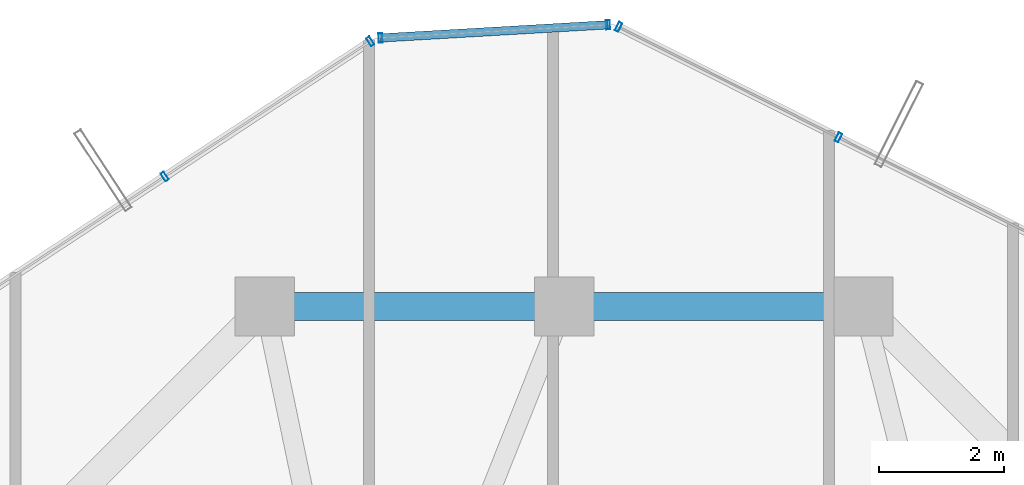
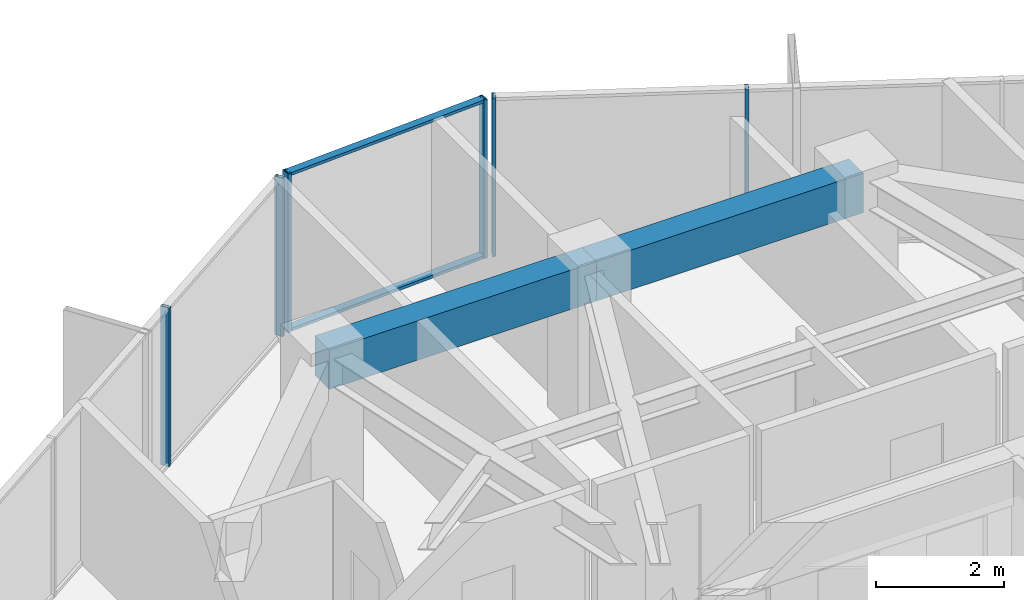
# One storey, part 24 of 33: 8 members, 2 beams, 3 elements without a shape of their own.
"""IFC4 building model written with IfcOpenShell, lengths in metres."""

from ifc_helpers import new_model, si_unit, direction, frame, origin, origin_2d, place, context, subcontext, project, spatial, rectangle, hollow_rectangle, extrude, source, transform, mapped, material, layer, layer_set, material_profile, profile_set, type_object, element, aggregate, save


model = new_model("IFC4")

# Units and contexts
model_context = context("Model", 3, precision=1e-05, world=origin(), true_north=direction((0.0, 1.0)))
body_context = subcontext(model_context, "Body", "Model", "MODEL_VIEW")
ifc_project = project(units=[si_unit("LENGTHUNIT", "METRE"), si_unit("AREAUNIT", "SQUARE_METRE"), si_unit("VOLUMEUNIT", "CUBIC_METRE"), si_unit("PLANEANGLEUNIT", "RADIAN"), si_unit("MASSUNIT", "GRAM", prefix="KILO")], contexts=[model_context])

# Site, building, storey
site_placement = place(None, origin())
site = spatial("IfcSite", under=ifc_project, at=site_placement, CompositionType="ELEMENT")
building_placement = place(site_placement, origin())
building = spatial("IfcBuilding", under=site, at=building_placement, Name="Veraguas Prism Commons", CompositionType="ELEMENT")
storey_placement = place(building_placement, frame((0.0, 0.0, 195.10009765625)))
storey = spatial("IfcBuildingStorey", under=building, at=storey_placement, Name="L55", CompositionType="ELEMENT", Elevation=195.10009765625)

# Beams
ifc_material_1 = material(Name="Concrete C50/60", Category="concrete")
ifc_material_profile_1 = material_profile(ifc_material_1, rectangle(XDim=0.449951171875, YDim=0.75, at=origin_2d()), Name="RC450X750")
ifc_profile_set_1 = profile_set([ifc_material_profile_1], Name="Concrete C50/60")
beam_type = type_object("IfcBeamType", Name="Perimeter Spandrel Upper RC 450x750", PredefinedType="SPANDREL", material=ifc_profile_set_1)
for number, where, z_axis, x_axis, name in (
    (1, (28.800048828125, 38.89990234375, 2.639892578125), (-1.0, 0.0, 0.0), (0.0, -1.0, 0.0), "Perimeter Spandrel Beam L55-SP04"),
    (2, (24.0, 38.89990234375, 2.639892578125), (-1.0, 0.0, 0.0), (0.0, -1.0, 0.0), "Perimeter Spandrel Beam L55-SP05"),
):
    element("IfcBeam", number, at=place(storey_placement, frame(where, z_axis=z_axis, x_axis=x_axis)), inside=storey, type_object=beam_type, Name=name, PredefinedType="SPANDREL", context=body_context, shape_type="SweptSolid", body=[
        extrude(rectangle(XDim=0.449951171875, YDim=0.75, at=origin_2d()), origin(), (0.0, 0.0, 1.0), 4.800048828125),
    ])

# Curtain wall, members
ifc_material_2 = material(Name="Anodised aluminium EN AW-6063 T6", Category="aluminium")
ifc_layer = layer(ifc_material_2, 0.14990234375, Name="Unitised Flush Curtain Wall Zone 3", Category="aluminium")
ifc_layer_set = layer_set([ifc_layer], Name="Anodised aluminium EN AW-6063 T6")
curtain_wall_type = type_object("IfcCurtainWallType", Name="Unitised Flush Curtain Wall Zone 3", PredefinedType="NOTDEFINED", material=ifc_layer_set)
curtain_wall_1_placement = place(storey_placement, origin())
curtain_wall_1 = element("IfcCurtainWall", 3, at=curtain_wall_1_placement, inside=storey, type_object=curtain_wall_type, Name="Tower Facade Curtain Wall L55-F1", PredefinedType="NOTDEFINED")
ifc_material_profile_2 = material_profile(ifc_material_2, hollow_rectangle(XDim=0.06005859375, YDim=0.14990234375, WallThickness=0.0029296875, at=origin_2d()), Name="AL60X150X3")
ifc_profile_set_2 = profile_set([ifc_material_profile_2], Name="Anodised aluminium EN AW-6063 T6")
member_type_1 = type_object("IfcMemberType", Name="Curtain Wall Mullion Upper AL 60x150x3", PredefinedType="MULLION", material=ifc_profile_set_2)
shared_shape_1 = source(origin(), body_context, "Body", "SweptSolid", [
    extrude(hollow_rectangle(XDim=0.06005859375, YDim=0.14990234375, WallThickness=0.0029296875, at=origin_2d()), origin(), (0.0, 0.0, 1.0), 3.014892578125),
])
member_1_placement = place(storey_placement, frame((28.399658203125, 41.609619140625, 0.0), z_axis=(0.0, 0.0, 1.0), x_axis=(-0.893525824808, 0.449011804301, 0.0)))
member_1 = element("IfcMember", 4, at=member_1_placement, type_object=member_type_1, Name="CW-Z3 Mullion 4", PredefinedType="MULLION", context=body_context, shape_type="MappedRepresentation", body=[
    mapped(shared_shape_1, transform((0.0, 0.0, 0.0), scale=1.0)),
])
member_2_placement = place(storey_placement, frame((24.874267578125, 43.38134765625, 0.0), z_axis=(0.0, 0.0, 1.0), x_axis=(-0.893525824808, 0.449011804301, 0.0)))
member_2 = element("IfcMember", 5, at=member_2_placement, type_object=member_type_1, Name="CW-Z3 Mullion 5", PredefinedType="MULLION", context=body_context, shape_type="MappedRepresentation", body=[
    mapped(shared_shape_1, transform((0.0, 0.0, 0.0), scale=1.0)),
])
aggregate(curtain_wall_1, [member_1, member_2])

curtain_wall_2_placement = place(storey_placement, origin())
curtain_wall_2 = element("IfcCurtainWall", 6, at=curtain_wall_2_placement, inside=storey, type_object=curtain_wall_type, Name="Tower Facade Curtain Wall L55-F2", PredefinedType="NOTDEFINED")
member_3_placement = place(storey_placement, frame((20.890625, 43.150146484375, 0.0), z_axis=(0.0, 0.0, 1.0), x_axis=(-0.835621417698, -0.549305785774, 0.0)))
member_3 = element("IfcMember", 7, at=member_3_placement, type_object=member_type_1, Name="CW-Z3 Mullion 1", PredefinedType="MULLION", context=body_context, shape_type="MappedRepresentation", body=[
    mapped(shared_shape_1, transform((0.0, 0.0, 0.0), scale=1.0)),
])
member_4_placement = place(storey_placement, frame((17.593505859375, 40.982666015625, 0.0), z_axis=(0.0, 0.0, 1.0), x_axis=(-0.835621417698, -0.549305785774, 0.0)))
member_4 = element("IfcMember", 8, at=member_4_placement, type_object=member_type_1, Name="CW-Z3 Mullion 2", PredefinedType="MULLION", context=body_context, shape_type="MappedRepresentation", body=[
    mapped(shared_shape_1, transform((0.0, 0.0, 0.0), scale=1.0)),
])
aggregate(curtain_wall_2, [member_3, member_4])

curtain_wall_3_placement = place(storey_placement, origin())
curtain_wall_3 = element("IfcCurtainWall", 9, at=curtain_wall_3_placement, inside=storey, type_object=curtain_wall_type, Name="Chamfer Curtain Wall L55-C2", PredefinedType="NOTDEFINED")
member_5_placement = place(storey_placement, frame((24.703857421875, 43.41650390625, 0.0), z_axis=(0.0, 0.0, 1.0), x_axis=(-0.998321864303, -0.05790902568, 0.0)))
member_5 = element("IfcMember", 10, at=member_5_placement, type_object=member_type_1, Name="CW-Z3 Mullion 1", PredefinedType="MULLION", context=body_context, shape_type="MappedRepresentation", body=[
    mapped(shared_shape_1, transform((0.0, 0.0, 0.0), scale=1.0)),
])
member_6_placement = place(storey_placement, frame((21.0556640625, 43.204833984375, 0.0), z_axis=(0.0, 0.0, 1.0), x_axis=(-0.998321864303, -0.05790902568, 0.0)))
member_6 = element("IfcMember", 11, at=member_6_placement, type_object=member_type_1, Name="CW-Z3 Mullion 2", PredefinedType="MULLION", context=body_context, shape_type="MappedRepresentation", body=[
    mapped(shared_shape_1, transform((0.0, 0.0, 0.0), scale=1.0)),
])
ifc_material_profile_3 = material_profile(ifc_material_2, hollow_rectangle(XDim=0.054931640625, YDim=0.135009765625, WallThickness=0.0029296875, at=origin_2d()), Name="AL55X135X3")
ifc_profile_set_3 = profile_set([ifc_material_profile_3], Name="Anodised aluminium EN AW-6063 T6")
member_type_2 = type_object("IfcMemberType", Name="Curtain Wall Transom Standard AL 55x135x3", PredefinedType="USERDEFINED", material=ifc_profile_set_3)
shared_shape_2 = source(origin(), body_context, "Body", "SweptSolid", [
    extrude(hollow_rectangle(XDim=0.054931640625, YDim=0.135009765625, WallThickness=0.0029296875, at=origin_2d()), origin(), (0.0, 0.0, 1.0), 3.654296875),
])
member_7_placement = place(storey_placement, frame((24.703857421875, 43.41650390625, 0.02734375), z_axis=(-0.998321049873, -0.057923064327, 0.0), x_axis=(0.0, 0.0, 1.0)))
member_7 = element("IfcMember", 12, at=member_7_placement, type_object=member_type_2, Name="CW-Z3 Transom 1", ObjectType="TRANSOM", PredefinedType="USERDEFINED", context=body_context, shape_type="MappedRepresentation", body=[
    mapped(shared_shape_2, transform((0.0, 0.0, 0.0), scale=1.0)),
])
member_8_placement = place(storey_placement, frame((24.703857421875, 43.41650390625, 2.9873046875), z_axis=(-0.998321049873, -0.057923064327, 0.0), x_axis=(0.0, 0.0, 1.0)))
member_8 = element("IfcMember", 13, at=member_8_placement, type_object=member_type_2, Name="CW-Z3 Transom 2", ObjectType="TRANSOM", PredefinedType="USERDEFINED", context=body_context, shape_type="MappedRepresentation", body=[
    mapped(shared_shape_2, transform((0.0, 0.0, 0.0), scale=1.0)),
])
aggregate(curtain_wall_3, [member_5, member_6, member_7, member_8])

save(model, "model.ifc")
